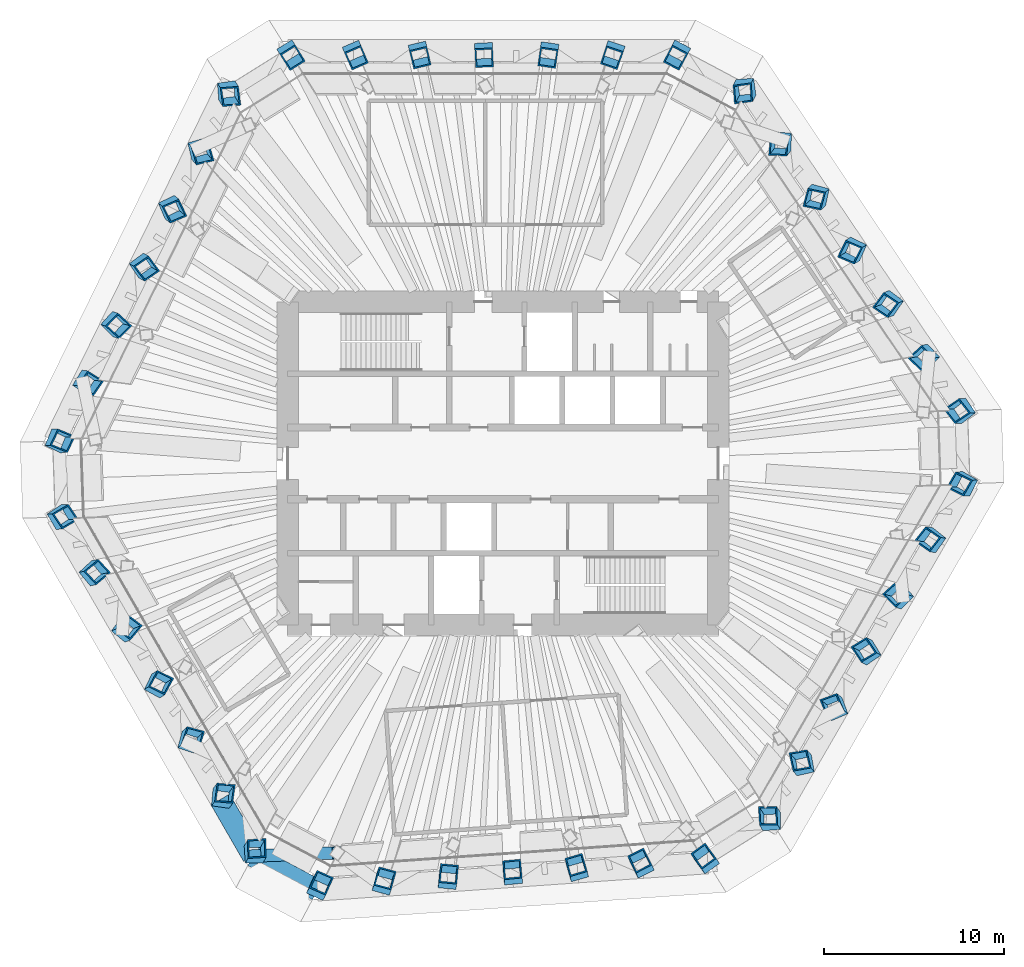
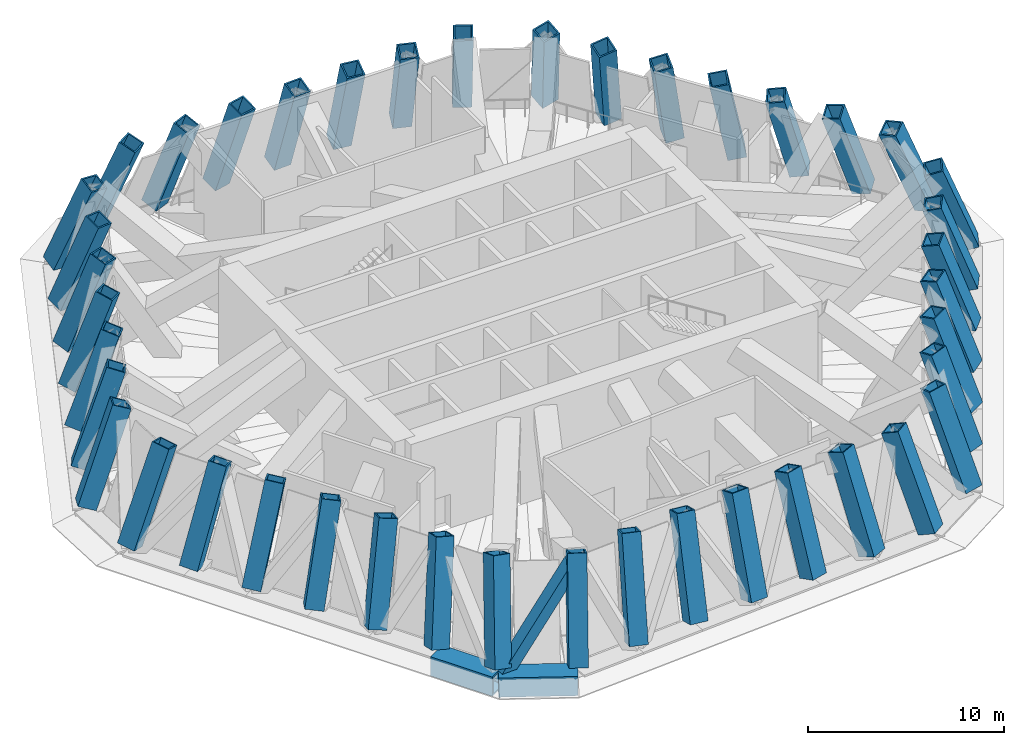
# One storey, part 1 of 12: 42 columns, 3 members.
"""IFC4 building model written with IfcOpenShell, lengths in metres."""

from ifc_helpers import new_model, si_unit, direction, frame, origin, origin_2d, place, context, subcontext, project, spatial, hollow_rectangle, extrude, clip, halfspace, material, material_profile, profile_set, type_object, element, save


model = new_model("IFC4")

# Units and contexts
model_context = context("Model", 3, precision=1e-05, world=origin(), true_north=direction((0.0, 1.0)))
body_context = subcontext(model_context, "Body", "Model", "MODEL_VIEW")
ifc_project = project(units=[si_unit("LENGTHUNIT", "METRE"), si_unit("AREAUNIT", "SQUARE_METRE"), si_unit("VOLUMEUNIT", "CUBIC_METRE"), si_unit("PLANEANGLEUNIT", "RADIAN"), si_unit("MASSUNIT", "GRAM", prefix="KILO")], contexts=[model_context])

# Site, building, storey
site_placement = place(None, origin())
site = spatial("IfcSite", under=ifc_project, at=site_placement, CompositionType="ELEMENT")
building_placement = place(site_placement, origin())
building = spatial("IfcBuilding", under=site, at=building_placement, Name="Qingtian Harvest Tower", CompositionType="ELEMENT")
storey_placement = place(building_placement, frame((0.0, 0.0, 256.0)))
storey = spatial("IfcBuildingStorey", under=building, at=storey_placement, Name="L56", CompositionType="ELEMENT", Elevation=256.0)

# Columns
ifc_material_1 = material(Name="Steel SM570MC", Category="steel")
ifc_material_profile_1 = material_profile(ifc_material_1, hollow_rectangle(XDim=1.0, YDim=1.0, WallThickness=0.080078125, at=origin_2d()), Name="BOX1000x1000x80")
ifc_profile_set_1 = profile_set([ifc_material_profile_1], Name="Steel SM570MC")
column_type = type_object("IfcColumnType", Name="Raked tube column RK3 BOX1000x1000x80", PredefinedType="COLUMN", material=ifc_profile_set_1)
column_1_placement = place(storey_placement, frame((-11.971923828125, 23.0, 0.0), z_axis=(0.193855237376, -0.310228971397, 0.930686914192), x_axis=(-0.848044827073, -0.529924495824, 0.0)))
element("IfcColumn", 1, at=column_1_placement, inside=storey, type_object=column_type, Name="Raked tube column RK3 N0", PredefinedType="COLUMN", context=body_context, shape_type="Clipping", body=[
    clip(clip(extrude(hollow_rectangle(XDim=1.0, YDim=1.0, WallThickness=0.080078125, at=origin_2d()), origin(), (0.0, 0.0, 1.0), 6.44677734375), halfspace(frame((0.0, 0.0, 0.196044921875), z_axis=(0.0, 0.0, -1.0), x_axis=(0.0, -1.0, 0.0)), False)), halfspace(frame((0.0, 0.0, 6.250732421875), z_axis=(0.0, 0.0, 1.0), x_axis=(0.0, 1.0, 0.0)), False)),
])
column_2_placement = place(storey_placement, frame((-8.33837890625, 23.0, 0.0), z_axis=(0.13539287358, -0.313315937958, 0.939947813873), x_axis=(-0.917958510973, -0.39667640733, 0.0)))
element("IfcColumn", 2, at=column_2_placement, inside=storey, type_object=column_type, Name="Raked tube column RK3 N1", PredefinedType="COLUMN", context=body_context, shape_type="Clipping", body=[
    clip(clip(extrude(hollow_rectangle(XDim=1.0, YDim=1.0, WallThickness=0.080078125, at=origin_2d()), origin(), (0.0, 0.0, 1.0), 6.38330078125), halfspace(frame((0.0, 0.0, 0.18115234375), z_axis=(0.0, 0.0, -1.0), x_axis=(0.0, -1.0, 0.0)), False)), halfspace(frame((0.0, 0.0, 6.2021484375), z_axis=(0.0, 0.0, 1.0), x_axis=(0.0, 1.0, 0.0)), False)),
])
column_3_placement = place(storey_placement, frame((-4.704833984375, 23.0, 0.0), z_axis=(0.075444333791, -0.31532652164, 0.945979564921), x_axis=(-0.972550863164, -0.232690392066, 0.0)))
element("IfcColumn", 3, at=column_3_placement, inside=storey, type_object=column_type, Name="Raked tube column RK3 N2", PredefinedType="COLUMN", context=body_context, shape_type="Clipping", body=[
    clip(clip(extrude(hollow_rectangle(XDim=1.0, YDim=1.0, WallThickness=0.080078125, at=origin_2d()), origin(), (0.0, 0.0, 1.0), 6.342529296875), halfspace(frame((0.0, 0.0, 0.1708984375), z_axis=(0.0, 0.0, -1.0), x_axis=(0.0, -1.0, 0.0)), False)), halfspace(frame((0.0, 0.0, 6.171630859375), z_axis=(0.0, 0.0, 1.0), x_axis=(0.0, 1.0, 0.0)), False)),
])
column_4_placement = place(storey_placement, frame((-1.0712890625, 23.0, 0.0), z_axis=(0.014705780072, -0.316193570465, 0.948580711394), x_axis=(-0.998920217686, -0.046458569695, 0.0)))
element("IfcColumn", 4, at=column_4_placement, inside=storey, type_object=column_type, Name="Raked tube column RK3 N3", PredefinedType="COLUMN", context=body_context, shape_type="Clipping", body=[
    clip(clip(extrude(hollow_rectangle(XDim=1.0, YDim=1.0, WallThickness=0.080078125, at=origin_2d()), origin(), (0.0, 0.0, 1.0), 6.3251953125), halfspace(frame((0.0, 0.0, 0.1650390625), z_axis=(0.0, 0.0, -1.0), x_axis=(0.0, -1.0, 0.0)), False)), halfspace(frame((0.0, 0.0, 6.16015625), z_axis=(0.0, 0.0, 1.0), x_axis=(0.0, 1.0, 0.0)), False)),
])
column_5_placement = place(storey_placement, frame((2.562255859375, 23.0, 0.0), z_axis=(-0.046195851301, -0.315890161816, 0.947670485449), x_axis=(-0.989475410036, 0.144701115872, 0.0)))
element("IfcColumn", 5, at=column_5_placement, inside=storey, type_object=column_type, Name="Raked tube column RK3 N4", PredefinedType="COLUMN", context=body_context, shape_type="Clipping", body=[
    clip(clip(extrude(hollow_rectangle(XDim=1.0, YDim=1.0, WallThickness=0.080078125, at=origin_2d()), origin(), (0.0, 0.0, 1.0), 6.331298828125), halfspace(frame((0.0, 0.0, 0.168212890625), z_axis=(0.0, 0.0, -1.0), x_axis=(0.0, -1.0, 0.0)), False)), halfspace(frame((0.0, 0.0, 6.1630859375), z_axis=(0.0, 0.0, 1.0), x_axis=(0.0, 1.0, 0.0)), False)),
])
column_6_placement = place(storey_placement, frame((6.19580078125, 23.0, 0.0), z_axis=(-0.106587148769, -0.31442633155, 0.943278994649), x_axis=(-0.947064092103, 0.321044553683, 0.0)))
element("IfcColumn", 6, at=column_6_placement, inside=storey, type_object=column_type, Name="Raked tube column RK3 N5", PredefinedType="COLUMN", context=body_context, shape_type="Clipping", body=[
    clip(clip(extrude(hollow_rectangle(XDim=1.0, YDim=1.0, WallThickness=0.080078125, at=origin_2d()), origin(), (0.0, 0.0, 1.0), 6.36083984375), halfspace(frame((0.0, 0.0, 0.175537109375), z_axis=(0.0, 0.0, -1.0), x_axis=(0.0, -1.0, 0.0)), False)), halfspace(frame((0.0, 0.0, 6.185302734375), z_axis=(0.0, 0.0, 1.0), x_axis=(0.0, 1.0, 0.0)), False)),
])
column_7_placement = place(storey_placement, frame((9.829345703125, 23.0, 0.0), z_axis=(-0.165822470743, -0.311849788872, 0.935549366617), x_axis=(-0.88293703386, 0.469491420837, 0.0)))
element("IfcColumn", 7, at=column_7_placement, inside=storey, type_object=column_type, Name="Raked tube column RK3 N6", PredefinedType="COLUMN", context=body_context, shape_type="Clipping", body=[
    clip(clip(extrude(hollow_rectangle(XDim=1.0, YDim=1.0, WallThickness=0.080078125, at=origin_2d()), origin(), (0.0, 0.0, 1.0), 6.413330078125), halfspace(frame((0.0, 0.0, 0.1884765625), z_axis=(0.0, 0.0, -1.0), x_axis=(0.0, -1.0, 0.0)), False)), halfspace(frame((0.0, 0.0, 6.224853515625), z_axis=(0.0, 0.0, 1.0), x_axis=(0.0, 1.0, 0.0)), False)),
])
column_8_placement = place(storey_placement, frame((13.5712890625, 21.01025390625, 0.0), z_axis=(-0.16578544954, -0.311851757205, 0.935555271616), x_axis=(-0.1296798184, 0.947339142701, 0.292799749669)))
element("IfcColumn", 8, at=column_8_placement, inside=storey, type_object=column_type, Name="Raked tube column RK3 NE0", PredefinedType="COLUMN", context=body_context, shape_type="Clipping", body=[
    clip(clip(extrude(hollow_rectangle(XDim=1.0, YDim=1.0, WallThickness=0.080078125, at=origin_2d()), origin(), (0.0, 0.0, 1.0), 6.413330078125), halfspace(frame((0.0, 0.0, 0.21142578125), z_axis=(0.0, 0.0, -1.0), x_axis=(0.0, -1.0, 0.0)), False)), halfspace(frame((0.0, 0.0, 6.201904296875), z_axis=(0.0, 0.0, 1.0), x_axis=(0.0, 1.0, 0.0)), False)),
])
column_9_placement = place(storey_placement, frame((15.603271484375, 17.998046875, 0.0), z_axis=(-0.201083601189, -0.26418370433, 0.943277454252), x_axis=(0.028674908896, 0.960946370139, 0.275245024144)))
element("IfcColumn", 9, at=column_9_placement, inside=storey, type_object=column_type, Name="Raked tube column RK3 NE1", PredefinedType="COLUMN", context=body_context, shape_type="Clipping", body=[
    clip(clip(extrude(hollow_rectangle(XDim=1.0, YDim=1.0, WallThickness=0.080078125, at=origin_2d()), origin(), (0.0, 0.0, 1.0), 6.36083984375), halfspace(frame((0.0, 0.0, 0.186767578125), z_axis=(0.0, 0.0, -1.0), x_axis=(0.0, -1.0, 0.0)), False)), halfspace(frame((0.0, 0.0, 6.174072265625), z_axis=(0.0, 0.0, 1.0), x_axis=(0.0, 1.0, 0.0)), False)),
])
column_10_placement = place(storey_placement, frame((17.635009765625, 14.985595703125, 0.0), z_axis=(-0.236032117979, -0.214939229801, 0.947676087477), x_axis=(0.204390465263, 0.942433783301, 0.264656573323)))
element("IfcColumn", 10, at=column_10_placement, inside=storey, type_object=column_type, Name="Raked tube column RK3 NE2", PredefinedType="COLUMN", context=body_context, shape_type="Clipping", body=[
    clip(clip(extrude(hollow_rectangle(XDim=1.0, YDim=1.0, WallThickness=0.080078125, at=origin_2d()), origin(), (0.0, 0.0, 1.0), 6.331298828125), halfspace(frame((0.0, 0.0, 0.168212890625), z_axis=(0.0, 0.0, -1.0), x_axis=(0.0, -1.0, 0.0)), False)), halfspace(frame((0.0, 0.0, 6.1630859375), z_axis=(0.0, 0.0, 1.0), x_axis=(0.0, 1.0, 0.0)), False)),
])
column_11_placement = place(storey_placement, frame((19.6669921875, 11.97314453125, 0.0), z_axis=(-0.270378388975, -0.164581506151, 0.948582339393), x_axis=(0.38099195494, 0.88655690783, 0.262415661594)))
element("IfcColumn", 11, at=column_11_placement, inside=storey, type_object=column_type, Name="Raked tube column RK3 NE3", PredefinedType="COLUMN", context=body_context, shape_type="Clipping", body=[
    clip(clip(extrude(hollow_rectangle(XDim=1.0, YDim=1.0, WallThickness=0.080078125, at=origin_2d()), origin(), (0.0, 0.0, 1.0), 6.3251953125), halfspace(frame((0.0, 0.0, 0.162109375), z_axis=(0.0, 0.0, -1.0), x_axis=(0.0, -1.0, 0.0)), False)), halfspace(frame((0.0, 0.0, 6.1630859375), z_axis=(0.0, 0.0, 1.0), x_axis=(0.0, 1.0, 0.0)), False)),
])
column_12_placement = place(storey_placement, frame((21.69873046875, 8.9609375, 0.0), z_axis=(-0.303623148474, -0.113781697121, 0.945973947374), x_axis=(0.53814609826, 0.798836854124, 0.268809332839)))
element("IfcColumn", 12, at=column_12_placement, inside=storey, type_object=column_type, Name="Raked tube column RK3 NE4", PredefinedType="COLUMN", context=body_context, shape_type="Clipping", body=[
    clip(clip(extrude(hollow_rectangle(XDim=1.0, YDim=1.0, WallThickness=0.080078125, at=origin_2d()), origin(), (0.0, 0.0, 1.0), 6.3427734375), halfspace(frame((0.0, 0.0, 0.184814453125), z_axis=(0.0, 0.0, -1.0), x_axis=(0.0, -1.0, 0.0)), False)), halfspace(frame((0.0, 0.0, 6.157958984375), z_axis=(0.0, 0.0, 1.0), x_axis=(0.0, 1.0, 0.0)), False)),
])
column_13_placement = place(storey_placement, frame((23.730712890625, 5.948486328125, 0.0), z_axis=(-0.335460878036, -0.062953894111, 0.939948299921), x_axis=(0.662742965155, 0.693327380827, 0.282964494475)))
element("IfcColumn", 13, at=column_13_placement, inside=storey, type_object=column_type, Name="Raked tube column RK3 NE5", PredefinedType="COLUMN", context=body_context, shape_type="Clipping", body=[
    clip(clip(extrude(hollow_rectangle(XDim=1.0, YDim=1.0, WallThickness=0.080078125, at=origin_2d()), origin(), (0.0, 0.0, 1.0), 6.38330078125), halfspace(frame((0.0, 0.0, 0.21533203125), z_axis=(0.0, 0.0, -1.0), x_axis=(0.0, -1.0, 0.0)), False)), halfspace(frame((0.0, 0.0, 6.16796875), z_axis=(0.0, 0.0, 1.0), x_axis=(0.0, 1.0, 0.0)), False)),
])
for number, where, z_axis, x_axis, name in (
    (14, (25.762451171875, 2.936279296875, 0.0), (-0.365594474061, -0.012762102523, 0.930686740679), (0.751596285175, 0.585770083952, 0.30327616599), "Raked tube column RK3 NE6"),
    (15, (25.904541015625, -1.1318359375, 0.0), (-0.365594297108, -0.012799966068, 0.930686290213), (0.822999406481, -0.471491998898, 0.316807941673), "Raked tube column RK3 SE0"),
):
    element("IfcColumn", number, at=place(storey_placement, frame(where, z_axis=z_axis, x_axis=x_axis)), inside=storey, type_object=column_type, Name=name, PredefinedType="COLUMN", context=body_context, shape_type="Clipping", body=[
        clip(clip(extrude(hollow_rectangle(XDim=1.0, YDim=1.0, WallThickness=0.080078125, at=origin_2d()), origin(), (0.0, 0.0, 1.0), 6.44677734375), halfspace(frame((0.0, 0.0, 0.251708984375), z_axis=(0.0, 0.0, -1.0), x_axis=(0.0, -1.0, 0.0)), False)), halfspace(frame((0.0, 0.0, 6.195068359375), z_axis=(0.0, 0.0, 1.0), x_axis=(0.0, 1.0, 0.0)), False)),
    ])
column_14_placement = place(storey_placement, frame((24.087890625, -4.27880859375, 0.0), z_axis=(-0.339053223698, 0.039431909039, 0.93994044282), x_axis=(0.750801766681, -0.59068835623, 0.295607802608)))
element("IfcColumn", 16, at=column_14_placement, inside=storey, type_object=column_type, Name="Raked tube column RK3 SE1", PredefinedType="COLUMN", context=body_context, shape_type="Clipping", body=[
    clip(clip(extrude(hollow_rectangle(XDim=1.0, YDim=1.0, WallThickness=0.080078125, at=origin_2d()), origin(), (0.0, 0.0, 1.0), 6.38330078125), halfspace(frame((0.0, 0.0, 0.21923828125), z_axis=(0.0, 0.0, -1.0), x_axis=(0.0, -1.0, 0.0)), False)), halfspace(frame((0.0, 0.0, 6.1640625), z_axis=(0.0, 0.0, 1.0), x_axis=(0.0, 1.0, 0.0)), False)),
])
column_15_placement = place(storey_placement, frame((22.27099609375, -7.425537109375, 0.0), z_axis=(-0.310821675411, 0.092303452339, 0.945975665005), x_axis=(0.643002166591, -0.712531180262, 0.280798025126)))
element("IfcColumn", 17, at=column_15_placement, inside=storey, type_object=column_type, Name="Raked tube column RK3 SE2", PredefinedType="COLUMN", context=body_context, shape_type="Clipping", body=[
    clip(clip(extrude(hollow_rectangle(XDim=1.0, YDim=1.0, WallThickness=0.080078125, at=origin_2d()), origin(), (0.0, 0.0, 1.0), 6.3427734375), halfspace(frame((0.0, 0.0, 0.186767578125), z_axis=(0.0, 0.0, -1.0), x_axis=(0.0, -1.0, 0.0)), False)), halfspace(frame((0.0, 0.0, 6.156005859375), z_axis=(0.0, 0.0, 1.0), x_axis=(0.0, 1.0, 0.0)), False)),
])
column_16_placement = place(storey_placement, frame((20.454345703125, -10.572265625, 0.0), z_axis=(-0.281220877108, 0.14535792248, 0.948570446857), x_axis=(0.500180127639, -0.821376441958, 0.274154300553)))
element("IfcColumn", 18, at=column_16_placement, inside=storey, type_object=column_type, Name="Raked tube column RK3 SE3", PredefinedType="COLUMN", context=body_context, shape_type="Clipping", body=[
    clip(clip(extrude(hollow_rectangle(XDim=1.0, YDim=1.0, WallThickness=0.080078125, at=origin_2d()), origin(), (0.0, 0.0, 1.0), 6.3251953125), halfspace(frame((0.0, 0.0, 0.162353515625), z_axis=(0.0, 0.0, -1.0), x_axis=(0.0, -1.0, 0.0)), False)), halfspace(frame((0.0, 0.0, 6.162841796875), z_axis=(0.0, 0.0, 1.0), x_axis=(0.0, 1.0, 0.0)), False)),
])
column_17_placement = place(storey_placement, frame((18.637451171875, -13.718994140625, 0.0), z_axis=(-0.250490721891, 0.19793240078, 0.947669332081), x_axis=(0.33394448632, -0.901132039316, 0.276481695188)))
element("IfcColumn", 19, at=column_17_placement, inside=storey, type_object=column_type, Name="Raked tube column RK3 SE4", PredefinedType="COLUMN", context=body_context, shape_type="Clipping", body=[
    clip(clip(extrude(hollow_rectangle(XDim=1.0, YDim=1.0, WallThickness=0.080078125, at=origin_2d()), origin(), (0.0, 0.0, 1.0), 6.331298828125), halfspace(frame((0.0, 0.0, 0.16748046875), z_axis=(0.0, 0.0, -1.0), x_axis=(0.0, -1.0, 0.0)), False)), halfspace(frame((0.0, 0.0, 6.163818359375), z_axis=(0.0, 0.0, 1.0), x_axis=(0.0, 1.0, 0.0)), False)),
])
column_18_placement = place(storey_placement, frame((16.82080078125, -16.86572265625, 0.0), z_axis=(-0.219044784361, 0.249519912936, 0.943270478438), x_axis=(0.163170980328, -0.943766193397, 0.287542350586)))
element("IfcColumn", 20, at=column_18_placement, inside=storey, type_object=column_type, Name="Raked tube column RK3 SE5", PredefinedType="COLUMN", context=body_context, shape_type="Clipping", body=[
    clip(clip(extrude(hollow_rectangle(XDim=1.0, YDim=1.0, WallThickness=0.080078125, at=origin_2d()), origin(), (0.0, 0.0, 1.0), 6.36083984375), halfspace(frame((0.0, 0.0, 0.184814453125), z_axis=(0.0, 0.0, -1.0), x_axis=(0.0, -1.0, 0.0)), False)), halfspace(frame((0.0, 0.0, 6.176025390625), z_axis=(0.0, 0.0, 1.0), x_axis=(0.0, 1.0, 0.0)), False)),
])
column_19_placement = place(storey_placement, frame((15.00390625, -20.012451171875, 0.0), z_axis=(-0.187178569554, 0.299516165396, 0.935550239039), x_axis=(0.005367925981, -0.952056654142, 0.305874668247)))
element("IfcColumn", 21, at=column_19_placement, inside=storey, type_object=column_type, Name="Raked tube column RK3 SE6", PredefinedType="COLUMN", context=body_context, shape_type="Clipping", body=[
    clip(clip(extrude(hollow_rectangle(XDim=1.0, YDim=1.0, WallThickness=0.080078125, at=origin_2d()), origin(), (0.0, 0.0, 1.0), 6.413330078125), halfspace(frame((0.0, 0.0, 0.2080078125), z_axis=(0.0, 0.0, -1.0), x_axis=(0.0, -1.0, 0.0)), False)), halfspace(frame((0.0, 0.0, 6.205322265625), z_axis=(0.0, 0.0, 1.0), x_axis=(0.0, 1.0, 0.0)), False)),
])
column_20_placement = place(storey_placement, frame((11.40966796875, -22.25830078125, 0.0), z_axis=(-0.187141835255, 0.299518299388, 0.935556904645), x_axis=(-0.811424350677, -0.583937989246, 0.024636311501)))
element("IfcColumn", 22, at=column_20_placement, inside=storey, type_object=column_type, Name="Raked tube column RK3 S0", PredefinedType="COLUMN", context=body_context, shape_type="Clipping", body=[
    clip(clip(extrude(hollow_rectangle(XDim=1.0, YDim=1.0, WallThickness=0.080078125, at=origin_2d()), origin(), (0.0, 0.0, 1.0), 6.413330078125), halfspace(frame((0.0, 0.0, 0.190185546875), z_axis=(0.0, 0.0, -1.0), x_axis=(0.0, -1.0, 0.0)), False)), halfspace(frame((0.0, 0.0, 6.22314453125), z_axis=(0.0, 0.0, 1.0), x_axis=(0.0, 1.0, 0.0)), False)),
])
column_21_placement = place(storey_placement, frame((7.78515625, -22.51171875, 0.0), z_axis=(-0.128273344036, 0.306213267122, 0.943281179844), x_axis=(-0.894673267832, -0.446120403141, 0.023158793748)))
element("IfcColumn", 23, at=column_21_placement, inside=storey, type_object=column_type, Name="Raked tube column RK3 S1", PredefinedType="COLUMN", context=body_context, shape_type="Clipping", body=[
    clip(clip(extrude(hollow_rectangle(XDim=1.0, YDim=1.0, WallThickness=0.080078125, at=origin_2d()), origin(), (0.0, 0.0, 1.0), 6.36083984375), halfspace(frame((0.0, 0.0, 0.17578125), z_axis=(0.0, 0.0, -1.0), x_axis=(0.0, -1.0, 0.0)), False)), halfspace(frame((0.0, 0.0, 6.18505859375), z_axis=(0.0, 0.0, 1.0), x_axis=(0.0, 1.0, 0.0)), False)),
])
column_22_placement = place(storey_placement, frame((4.160400390625, -22.76513671875, 0.0), z_axis=(-0.068098876241, 0.311882056078, 0.947677226777), x_axis=(-0.960500011412, -0.277387540935, 0.022268367958)))
element("IfcColumn", 24, at=column_22_placement, inside=storey, type_object=column_type, Name="Raked tube column RK3 S2", PredefinedType="COLUMN", context=body_context, shape_type="Clipping", body=[
    clip(clip(extrude(hollow_rectangle(XDim=1.0, YDim=1.0, WallThickness=0.080078125, at=origin_2d()), origin(), (0.0, 0.0, 1.0), 6.331298828125), halfspace(frame((0.0, 0.0, 0.166015625), z_axis=(0.0, 0.0, -1.0), x_axis=(0.0, -1.0, 0.0)), False)), halfspace(frame((0.0, 0.0, 6.165283203125), z_axis=(0.0, 0.0, 1.0), x_axis=(0.0, 1.0, 0.0)), False)),
])
column_23_placement = place(storey_placement, frame((0.53564453125, -23.018798828125, 0.0), z_axis=(-0.007372155698, 0.316462327576, 0.948576431578), x_axis=(-0.995752449125, -0.089383873868, 0.022081285159)))
element("IfcColumn", 25, at=column_23_placement, inside=storey, type_object=column_type, Name="Raked tube column RK3 S3", PredefinedType="COLUMN", context=body_context, shape_type="Clipping", body=[
    clip(clip(extrude(hollow_rectangle(XDim=1.0, YDim=1.0, WallThickness=0.080078125, at=origin_2d()), origin(), (0.0, 0.0, 1.0), 6.3251953125), halfspace(frame((0.0, 0.0, 0.1650390625), z_axis=(0.0, 0.0, -1.0), x_axis=(0.0, -1.0, 0.0)), False)), halfspace(frame((0.0, 0.0, 6.16015625), z_axis=(0.0, 0.0, 1.0), x_axis=(0.0, 1.0, 0.0)), False)),
])
column_24_placement = place(storey_placement, frame((-3.089111328125, -23.272216796875, 0.0), z_axis=(0.053311143732, 0.319828370589, 0.945974489783), x_axis=(-0.99483752212, 0.098927926266, 0.022617912955)))
element("IfcColumn", 26, at=column_24_placement, inside=storey, type_object=column_type, Name="Raked tube column RK3 S4", PredefinedType="COLUMN", context=body_context, shape_type="Clipping", body=[
    clip(clip(extrude(hollow_rectangle(XDim=1.0, YDim=1.0, WallThickness=0.080078125, at=origin_2d()), origin(), (0.0, 0.0, 1.0), 6.3427734375), halfspace(frame((0.0, 0.0, 0.180419921875), z_axis=(0.0, 0.0, -1.0), x_axis=(0.0, -1.0, 0.0)), False)), halfspace(frame((0.0, 0.0, 6.162353515625), z_axis=(0.0, 0.0, 1.0), x_axis=(0.0, 1.0, 0.0)), False)),
])
column_25_placement = place(storey_placement, frame((-6.713623046875, -23.525634765625, 0.0), z_axis=(0.113172046067, 0.321999140197, 0.939951403904), x_axis=(-0.962869033612, 0.268917052574, 0.023808463738)))
element("IfcColumn", 27, at=column_25_placement, inside=storey, type_object=column_type, Name="Raked tube column RK3 S5", PredefinedType="COLUMN", context=body_context, shape_type="Clipping", body=[
    clip(clip(extrude(hollow_rectangle(XDim=1.0, YDim=1.0, WallThickness=0.080078125, at=origin_2d()), origin(), (0.0, 0.0, 1.0), 6.38330078125), halfspace(frame((0.0, 0.0, 0.189453125), z_axis=(0.0, 0.0, -1.0), x_axis=(0.0, -1.0, 0.0)), False)), halfspace(frame((0.0, 0.0, 6.19384765625), z_axis=(0.0, 0.0, 1.0), x_axis=(0.0, 1.0, 0.0)), False)),
])
column_26_placement = place(storey_placement, frame((-10.33837890625, -23.779052734375, 0.0), z_axis=(0.171739669238, 0.322991761617, 0.930688888908), x_axis=(-0.911273722114, 0.411009791442, 0.025517733503)))
element("IfcColumn", 28, at=column_26_placement, inside=storey, type_object=column_type, Name="Raked tube column RK3 S6", PredefinedType="COLUMN", context=body_context, shape_type="Clipping", body=[
    clip(clip(extrude(hollow_rectangle(XDim=1.0, YDim=1.0, WallThickness=0.080078125, at=origin_2d()), origin(), (0.0, 0.0, 1.0), 6.44677734375), halfspace(frame((0.0, 0.0, 0.203369140625), z_axis=(0.0, 0.0, -1.0), x_axis=(0.0, -1.0, 0.0)), False)), halfspace(frame((0.0, 0.0, 6.243408203125), z_axis=(0.0, 0.0, 1.0), x_axis=(0.0, 1.0, 0.0)), False)),
])
column_27_placement = place(storey_placement, frame((-13.9326171875, -21.8681640625, 0.0), z_axis=(0.171737568495, 0.323025680103, 0.930677504596), x_axis=(-0.063125885527, 0.94638025431, -0.316827298112)))
element("IfcColumn", 29, at=column_27_placement, inside=storey, type_object=column_type, Name="Raked tube column RK3 SW0", PredefinedType="COLUMN", context=body_context, shape_type="Clipping", body=[
    clip(clip(extrude(hollow_rectangle(XDim=1.0, YDim=1.0, WallThickness=0.080078125, at=origin_2d()), origin(), (0.0, 0.0, 1.0), 6.447021484375), halfspace(frame((0.0, 0.0, 0.220947265625), z_axis=(0.0, 0.0, -1.0), x_axis=(0.0, -1.0, 0.0)), False)), halfspace(frame((0.0, 0.0, 6.22607421875), z_axis=(0.0, 0.0, 1.0), x_axis=(0.0, 1.0, 0.0)), False)),
])
column_28_placement = place(storey_placement, frame((-15.749267578125, -18.72119140625, 0.0), z_axis=(0.203627080865, 0.273886838105, 0.939958516027), x_axis=(0.084429151703, 0.951584587534, -0.29556469869)))
element("IfcColumn", 30, at=column_28_placement, inside=storey, type_object=column_type, Name="Raked tube column RK3 SW1", PredefinedType="COLUMN", context=body_context, shape_type="Clipping", body=[
    clip(clip(extrude(hollow_rectangle(XDim=1.0, YDim=1.0, WallThickness=0.080078125, at=origin_2d()), origin(), (0.0, 0.0, 1.0), 6.38330078125), halfspace(frame((0.0, 0.0, 0.1953125), z_axis=(0.0, 0.0, -1.0), x_axis=(0.0, -1.0, 0.0)), False)), halfspace(frame((0.0, 0.0, 6.18798828125), z_axis=(0.0, 0.0, 1.0), x_axis=(0.0, 1.0, 0.0)), False)),
])
column_29_placement = place(storey_placement, frame((-17.566162109375, -15.574462890625, 0.0), z_axis=(0.235339962254, 0.223022528836, 0.94597888655), x_axis=(0.250715543891, 0.9264441464, -0.280789885237)))
element("IfcColumn", 31, at=column_29_placement, inside=storey, type_object=column_type, Name="Raked tube column RK3 SW2", PredefinedType="COLUMN", context=body_context, shape_type="Clipping", body=[
    clip(clip(extrude(hollow_rectangle(XDim=1.0, YDim=1.0, WallThickness=0.080078125, at=origin_2d()), origin(), (0.0, 0.0, 1.0), 6.342529296875), halfspace(frame((0.0, 0.0, 0.175048828125), z_axis=(0.0, 0.0, -1.0), x_axis=(0.0, -1.0, 0.0)), False)), halfspace(frame((0.0, 0.0, 6.16748046875), z_axis=(0.0, 0.0, 1.0), x_axis=(0.0, 1.0, 0.0)), False)),
])
column_30_placement = place(storey_placement, frame((-19.3828125, -12.427734375, 0.0), z_axis=(0.266443552396, 0.170835747197, 0.948589996187), x_axis=(0.421684474575, 0.864320218179, -0.274103565008)))
element("IfcColumn", 32, at=column_30_placement, inside=storey, type_object=column_type, Name="Raked tube column RK3 SW3", PredefinedType="COLUMN", context=body_context, shape_type="Clipping", body=[
    clip(clip(extrude(hollow_rectangle(XDim=1.0, YDim=1.0, WallThickness=0.080078125, at=origin_2d()), origin(), (0.0, 0.0, 1.0), 6.3251953125), halfspace(frame((0.0, 0.0, 0.160400390625), z_axis=(0.0, 0.0, -1.0), x_axis=(0.0, -1.0, 0.0)), False)), halfspace(frame((0.0, 0.0, 6.164794921875), z_axis=(0.0, 0.0, 1.0), x_axis=(0.0, 1.0, 0.0)), False)),
])
column_31_placement = place(storey_placement, frame((-21.19970703125, -9.281005859375, 0.0), z_axis=(0.296649273987, 0.117957900575, 0.947673541857), x_axis=(0.577882690595, 0.767864214795, -0.276470872876)))
element("IfcColumn", 33, at=column_31_placement, inside=storey, type_object=column_type, Name="Raked tube column RK3 SW4", PredefinedType="COLUMN", context=body_context, shape_type="Clipping", body=[
    clip(clip(extrude(hollow_rectangle(XDim=1.0, YDim=1.0, WallThickness=0.080078125, at=origin_2d()), origin(), (0.0, 0.0, 1.0), 6.331298828125), halfspace(frame((0.0, 0.0, 0.174072265625), z_axis=(0.0, 0.0, -1.0), x_axis=(0.0, -1.0, 0.0)), False)), halfspace(frame((0.0, 0.0, 6.1572265625), z_axis=(0.0, 0.0, 1.0), x_axis=(0.0, 1.0, 0.0)), False)),
])
column_32_placement = place(storey_placement, frame((-23.016357421875, -6.13427734375, 0.0), z_axis=(0.325561172402, 0.064904968466, 0.94329065939), x_axis=(0.703389819672, 0.650069775217, -0.287492693699)))
element("IfcColumn", 34, at=column_32_placement, inside=storey, type_object=column_type, Name="Raked tube column RK3 SW5", PredefinedType="COLUMN", context=body_context, shape_type="Clipping", body=[
    clip(clip(extrude(hollow_rectangle(XDim=1.0, YDim=1.0, WallThickness=0.080078125, at=origin_2d()), origin(), (0.0, 0.0, 1.0), 6.360595703125), halfspace(frame((0.0, 0.0, 0.202392578125), z_axis=(0.0, 0.0, -1.0), x_axis=(0.0, -1.0, 0.0)), False)), halfspace(frame((0.0, 0.0, 6.158203125), z_axis=(0.0, 0.0, 1.0), x_axis=(0.0, 1.0, 0.0)), False)),
])
for number, where, z_axis, x_axis, name in (
    (35, (-24.833251953125, -2.987548828125, 0.0), (0.352965007819, 0.012333979997, 0.935555223486), (0.792259074363, 0.527989811676, -0.305863233906), "Raked tube column RK3 SW6"),
    (36, (-24.981201171875, 1.248046875, 0.0), (0.352998332332, 0.012333814265, 0.935542652366), (0.855654780755, -0.40874194461, -0.31746640592), "Raked tube column RK3 NW0"),
):
    element("IfcColumn", number, at=place(storey_placement, frame(where, z_axis=z_axis, x_axis=x_axis)), inside=storey, type_object=column_type, Name=name, PredefinedType="COLUMN", context=body_context, shape_type="Clipping", body=[
        clip(clip(extrude(hollow_rectangle(XDim=1.0, YDim=1.0, WallThickness=0.080078125, at=origin_2d()), origin(), (0.0, 0.0, 1.0), 6.413330078125), halfspace(frame((0.0, 0.0, 0.238525390625), z_axis=(0.0, 0.0, -1.0), x_axis=(0.0, -1.0, 0.0)), False)), halfspace(frame((0.0, 0.0, 6.1748046875), z_axis=(0.0, 0.0, 1.0), x_axis=(0.0, 1.0, 0.0)), False)),
    ])
column_33_placement = place(storey_placement, frame((-23.388427734375, 4.513916015625, 0.0), z_axis=(0.329353535428, -0.042066364623, 0.943269139572), x_axis=(0.785433511816, -0.542251092809, -0.298425787867)))
element("IfcColumn", 37, at=column_33_placement, inside=storey, type_object=column_type, Name="Raked tube column RK3 NW1", PredefinedType="COLUMN", context=body_context, shape_type="Clipping", body=[
    clip(clip(extrude(hollow_rectangle(XDim=1.0, YDim=1.0, WallThickness=0.080078125, at=origin_2d()), origin(), (0.0, 0.0, 1.0), 6.36083984375), halfspace(frame((0.0, 0.0, 0.205322265625), z_axis=(0.0, 0.0, -1.0), x_axis=(0.0, -1.0, 0.0)), False)), halfspace(frame((0.0, 0.0, 6.155517578125), z_axis=(0.0, 0.0, 1.0), x_axis=(0.0, 1.0, 0.0)), False)),
])
column_34_placement = place(storey_placement, frame((-21.79541015625, 7.779541015625, 0.0), z_axis=(0.304168427936, -0.096942118133, 0.947672830242), x_axis=(0.678425438726, -0.676319362102, -0.286933867879)))
element("IfcColumn", 38, at=column_34_placement, inside=storey, type_object=column_type, Name="Raked tube column RK3 NW2", PredefinedType="COLUMN", context=body_context, shape_type="Clipping", body=[
    clip(clip(extrude(hollow_rectangle(XDim=1.0, YDim=1.0, WallThickness=0.080078125, at=origin_2d()), origin(), (0.0, 0.0, 1.0), 6.331298828125), halfspace(frame((0.0, 0.0, 0.175048828125), z_axis=(0.0, 0.0, -1.0), x_axis=(0.0, -1.0, 0.0)), False)), halfspace(frame((0.0, 0.0, 6.15625), z_axis=(0.0, 0.0, 1.0), x_axis=(0.0, 1.0, 0.0)), False)),
])
column_35_placement = place(storey_placement, frame((-20.20263671875, 11.04541015625, 0.0), z_axis=(0.277749131773, -0.151843396942, 0.948577357206), x_axis=(0.537800849701, -0.793615020284, -0.284509131032)))
element("IfcColumn", 39, at=column_35_placement, inside=storey, type_object=column_type, Name="Raked tube column RK3 NW3", PredefinedType="COLUMN", context=body_context, shape_type="Clipping", body=[
    clip(clip(extrude(hollow_rectangle(XDim=1.0, YDim=1.0, WallThickness=0.080078125, at=origin_2d()), origin(), (0.0, 0.0, 1.0), 6.3251953125), halfspace(frame((0.0, 0.0, 0.160400390625), z_axis=(0.0, 0.0, -1.0), x_axis=(0.0, -1.0, 0.0)), False)), halfspace(frame((0.0, 0.0, 6.164794921875), z_axis=(0.0, 0.0, 1.0), x_axis=(0.0, 1.0, 0.0)), False)),
])
column_36_placement = place(storey_placement, frame((-18.60986328125, 14.311279296875, 0.0), z_axis=(0.250350871121, -0.206046773233, 0.945975247334), x_axis=(0.377908426498, -0.878781715829, -0.291423947379)))
element("IfcColumn", 40, at=column_36_placement, inside=storey, type_object=column_type, Name="Raked tube column RK3 NW4", PredefinedType="COLUMN", context=body_context, shape_type="Clipping", body=[
    clip(clip(extrude(hollow_rectangle(XDim=1.0, YDim=1.0, WallThickness=0.080078125, at=origin_2d()), origin(), (0.0, 0.0, 1.0), 6.3427734375), halfspace(frame((0.0, 0.0, 0.173828125), z_axis=(0.0, 0.0, -1.0), x_axis=(0.0, -1.0, 0.0)), False)), halfspace(frame((0.0, 0.0, 6.1689453125), z_axis=(0.0, 0.0, 1.0), x_axis=(0.0, 1.0, 0.0)), False)),
])
column_37_placement = place(storey_placement, frame((-17.016845703125, 17.5771484375, 0.0), z_axis=(0.222250716406, -0.259043899883, 0.939947273516), x_axis=(0.217403988466, -0.926619627097, -0.306776095024)))
element("IfcColumn", 41, at=column_37_placement, inside=storey, type_object=column_type, Name="Raked tube column RK3 NW5", PredefinedType="COLUMN", context=body_context, shape_type="Clipping", body=[
    clip(clip(extrude(hollow_rectangle(XDim=1.0, YDim=1.0, WallThickness=0.080078125, at=origin_2d()), origin(), (0.0, 0.0, 1.0), 6.38330078125), halfspace(frame((0.0, 0.0, 0.19287109375), z_axis=(0.0, 0.0, -1.0), x_axis=(0.0, -1.0, 0.0)), False)), halfspace(frame((0.0, 0.0, 6.1904296875), z_axis=(0.0, 0.0, 1.0), x_axis=(0.0, 1.0, 0.0)), False)),
])
column_38_placement = place(storey_placement, frame((-15.424072265625, 20.8427734375, 0.0), z_axis=(0.193855237376, -0.310228971397, 0.930686914192), x_axis=(0.071521262142, -0.94168959372, -0.328793883979)))
element("IfcColumn", 42, at=column_38_placement, inside=storey, type_object=column_type, Name="Raked tube column RK3 NW6", PredefinedType="COLUMN", context=body_context, shape_type="Clipping", body=[
    clip(clip(extrude(hollow_rectangle(XDim=1.0, YDim=1.0, WallThickness=0.080078125, at=origin_2d()), origin(), (0.0, 0.0, 1.0), 6.44677734375), halfspace(frame((0.0, 0.0, 0.216796875), z_axis=(0.0, 0.0, -1.0), x_axis=(0.0, -1.0, 0.0)), False)), halfspace(frame((0.0, 0.0, 6.22998046875), z_axis=(0.0, 0.0, 1.0), x_axis=(0.0, 1.0, 0.0)), False)),
])

# Members
ifc_material_2 = material(Name="Steel SM570MC", Category="steel")
ifc_material_profile_2 = material_profile(ifc_material_2, hollow_rectangle(XDim=1.199951171875, YDim=1.199951171875, WallThickness=0.10009765625, at=origin_2d()), Name="BOX1200x1200x100")
ifc_profile_set_2 = profile_set([ifc_material_profile_2], Name="Steel SM570MC")
member_type_1 = type_object("IfcMemberType", Name="Belt truss chord BC3 BOX1200x1200x100", PredefinedType="CHORD", material=ifc_profile_set_2)
member_1_placement = place(storey_placement, frame((-10.33837890625, -23.779052734375, -0.60009765625), z_axis=(-0.882968133669, 0.469432929101, 0.0), x_axis=(-0.469432929101, -0.882968133669, 0.0)))
element("IfcMember", 43, at=member_1_placement, inside=storey, type_object=member_type_1, Name="Belt chord BC3 SC", PredefinedType="CHORD", context=body_context, shape_type="SweptSolid", body=[
    extrude(hollow_rectangle(XDim=1.199951171875, YDim=1.199951171875, WallThickness=0.10009765625, at=origin_2d()), origin(), (0.0, 0.0, 1.0), 4.070556640625),
])
member_2_placement = place(storey_placement, frame((-13.9326171875, -21.8681640625, -0.60009765625), z_axis=(-0.499947341849, 0.866055803848, 0.0), x_axis=(-0.866055803848, -0.499947341849, 0.0)))
element("IfcMember", 44, at=member_2_placement, inside=storey, type_object=member_type_1, Name="Belt chord BC3 SW0", PredefinedType="CHORD", context=body_context, shape_type="SweptSolid", body=[
    extrude(hollow_rectangle(XDim=1.199951171875, YDim=1.199951171875, WallThickness=0.10009765625, at=origin_2d()), origin(), (0.0, 0.0, 1.0), 3.6337890625),
])
ifc_material_3 = material(Name="Steel SM570MC", Category="steel")
ifc_material_profile_3 = material_profile(ifc_material_3, hollow_rectangle(XDim=0.699951171875, YDim=0.699951171875, WallThickness=0.0400390625, at=origin_2d()), Name="BOX700x700x40")
ifc_profile_set_3 = profile_set([ifc_material_profile_3], Name="Steel SM570MC")
member_type_2 = type_object("IfcMemberType", Name="Belt truss diagonal BD3 BOX700x700x40", PredefinedType="BRACE", material=ifc_profile_set_3)
member_3_placement = place(storey_placement, frame((-9.231201171875, -21.69677734375, 5.39990234375), z_axis=(-0.616621250516, -0.02247848148, -0.786938975577), x_axis=(0.036430078178, -0.99933620439, 0.0)))
element("IfcMember", 45, at=member_3_placement, inside=storey, type_object=member_type_2, Name="Belt truss diagonal BD3 L56 S6", PredefinedType="BRACE", context=body_context, shape_type="SweptSolid", body=[
    extrude(hollow_rectangle(XDim=0.699951171875, YDim=0.699951171875, WallThickness=0.0400390625, at=origin_2d()), origin(), (0.0, 0.0, 1.0), 7.62451171875),
])

save(model, "model.ifc")
